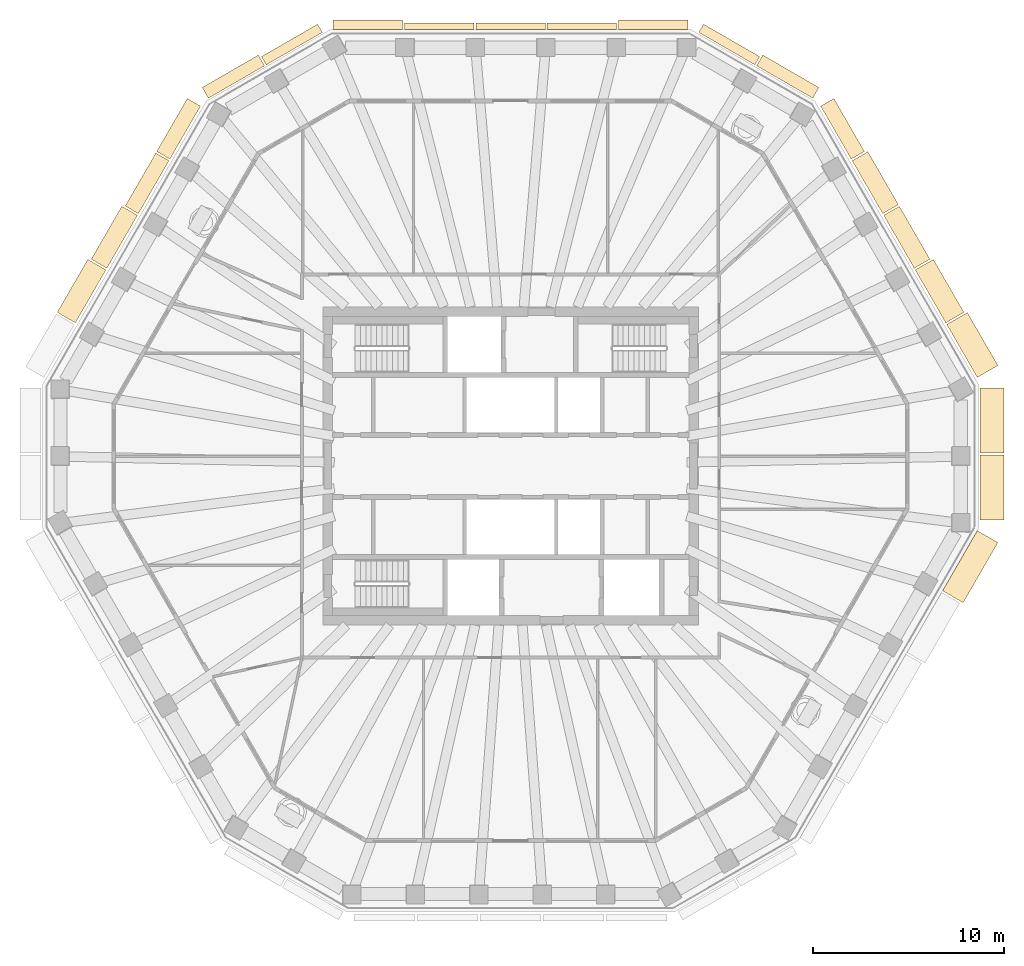
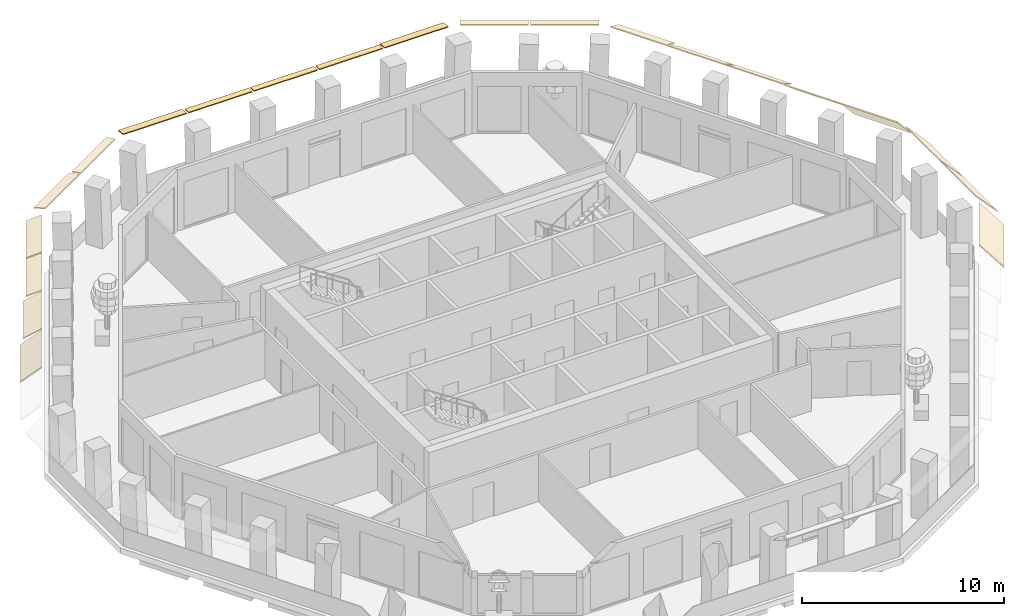
# One storey, part 9 of 11: 21 coverings.
"""IFC4 building model written with IfcOpenShell, lengths in metres."""

from ifc_helpers import new_model, si_unit, direction, frame, origin, place, context, subcontext, project, spatial, polyline, outline, extrude, material, layer, layer_set, type_object, element, save


model = new_model("IFC4")

# Units and contexts
model_context = context("Model", 3, precision=1e-05, world=origin(), true_north=direction((0.0, 1.0)))
body_context = subcontext(model_context, "Body", "Model", "MODEL_VIEW")
ifc_project = project(units=[si_unit("LENGTHUNIT", "METRE"), si_unit("AREAUNIT", "SQUARE_METRE"), si_unit("VOLUMEUNIT", "CUBIC_METRE"), si_unit("PLANEANGLEUNIT", "RADIAN"), si_unit("MASSUNIT", "GRAM", prefix="KILO")], contexts=[model_context])

# Site, building, storey
site_placement = place(None, origin())
site = spatial("IfcSite", under=ifc_project, at=site_placement, CompositionType="ELEMENT")
building_placement = place(site_placement, origin())
building = spatial("IfcBuilding", under=site, at=building_placement, Name="Frailejon Research Tower", CompositionType="ELEMENT")
storey_placement = place(building_placement, frame((0.0, 0.0, 279.0)))
storey = spatial("IfcBuildingStorey", under=building, at=storey_placement, Name="L61", CompositionType="ELEMENT", Elevation=279.0)

# Coverings
ifc_material_1 = material(Name="Precast concrete C50/60", Category="concrete")
ifc_layer_1 = layer(ifc_material_1, 0.06005859375)
ifc_layer_set_1 = layer_set([ifc_layer_1], Name="Brim blade depth 1100")
covering_type_1 = type_object("IfcCoveringType", Name="Brim blade depth 1100", PredefinedType="CLADDING", material=ifc_layer_set_1)
for number, where, z_axis, x_axis, name in (
    (1, (21.227783203125, 10.289306640625, 3.85009765625), (0.49999036091, -0.866030968844, 0.0), (0.866030968844, 0.49999036091, 0.0), "Brim blade L61"),
    (2, (-22.8310546875, 7.51220703125, 3.85009765625), (0.49999036091, 0.866030968844, 0.0), (-0.866030968844, 0.49999036091, 0.0), "Brim blade L61"),
):
    element("IfcCovering", number, at=place(storey_placement, frame(where, z_axis=z_axis, x_axis=x_axis)), inside=storey, type_object=covering_type_1, Name=name, PredefinedType="CLADDING", context=body_context, shape_type="SweptSolid", body=[
        extrude(outline(polyline([(0.0, -0.078369140625), (1.10009765625, -1.001220703125), (1.10009765625, -0.923095703125), (0.0, 0.0), (0.0, -0.078369140625)])), origin(), (0.0, 0.0, 1.0), 3.20654296875),
    ])
ifc_material_2 = material(Name="Precast concrete C50/60", Category="concrete")
ifc_layer_2 = layer(ifc_material_2, 0.06005859375)
ifc_layer_set_2 = layer_set([ifc_layer_2], Name="Brim blade depth 1250")
covering_type_2 = type_object("IfcCoveringType", Name="Brim blade depth 1250", PredefinedType="CLADDING", material=ifc_layer_set_2)
covering_1_placement = place(storey_placement, frame((24.63671875, 0.57861328125, 3.85009765625), z_axis=(0.0, -1.0, 0.0), x_axis=(1.0, 0.0, 0.0)))
element("IfcCovering", 3, at=covering_1_placement, inside=storey, type_object=covering_type_2, Name="Brim blade L61", PredefinedType="CLADDING", context=body_context, shape_type="SweptSolid", body=[
    extrude(outline(polyline([(0.0, -0.0888671875), (1.25, -1.452880859375), (1.25, -1.364013671875), (0.0, 0.0), (0.0, -0.0888671875)])), origin(), (0.0, 0.0, 1.0), 3.40185546875),
])
covering_2_placement = place(storey_placement, frame((24.63671875, 4.08056640625, 3.85009765625), z_axis=(0.0, -1.0, 0.0), x_axis=(1.0, 0.0, 0.0)))
element("IfcCovering", 4, at=covering_2_placement, inside=storey, type_object=covering_type_2, Name="Brim blade L61", PredefinedType="CLADDING", context=body_context, shape_type="SweptSolid", body=[
    extrude(outline(polyline([(0.0, -0.0888671875), (1.25, -1.452880859375), (1.25, -1.364013671875), (0.0, 0.0), (0.0, -0.0888671875)])), origin(), (0.0, 0.0, 1.0), 3.402099609375),
])
covering_3_placement = place(storey_placement, frame((22.881103515625, 7.42578125, 3.85009765625), z_axis=(0.500013043119, -0.866017873205, 0.0), x_axis=(0.866017873205, 0.500013043119, 0.0)))
element("IfcCovering", 5, at=covering_3_placement, inside=storey, type_object=covering_type_2, Name="Brim blade L61", PredefinedType="CLADDING", context=body_context, shape_type="SweptSolid", body=[
    extrude(outline(polyline([(0.0, -0.0888671875), (1.25, -1.452880859375), (1.25, -1.364013671875), (0.0, 0.0), (0.0, -0.0888671875)])), origin(), (0.0, 0.0, 1.0), 3.20654296875),
])
covering_4_placement = place(storey_placement, frame((24.484375, -3.3916015625, 3.85009765625), z_axis=(-0.499996188274, -0.866027604474, 0.0), x_axis=(0.866027604474, -0.499996188274, 0.0)))
element("IfcCovering", 6, at=covering_4_placement, inside=storey, type_object=covering_type_2, Name="Brim blade L61", PredefinedType="CLADDING", context=body_context, shape_type="SweptSolid", body=[
    extrude(outline(polyline([(0.0, -0.0888671875), (1.25, -1.452880859375), (1.25, -1.364013671875), (0.0, 0.0), (0.0, -0.0888671875)])), origin(), (0.0, 0.0, 1.0), 3.64208984375),
])
ifc_material_3 = material(Name="Precast concrete C50/60", Category="concrete")
ifc_layer_3 = layer(ifc_material_3, 0.06005859375)
ifc_layer_set_3 = layer_set([ifc_layer_3], Name="Brim blade depth 350")
covering_type_3 = type_object("IfcCoveringType", Name="Brim blade depth 350", PredefinedType="CLADDING", material=ifc_layer_set_3)
covering_5_placement = place(storey_placement, frame((1.9208984375, 22.89990234375, 3.85009765625), z_axis=(1.0, 0.0, 0.0), x_axis=(0.0, 1.0, 0.0)))
element("IfcCovering", 7, at=covering_5_placement, inside=storey, type_object=covering_type_3, Name="Brim blade L61", PredefinedType="CLADDING", context=body_context, shape_type="SweptSolid", body=[
    extrude(outline(polyline([(0.0, -0.06005859375), (0.35009765625, -0.06005859375), (0.35009765625, 0.0), (0.0, 0.0), (0.0, -0.06005859375)])), origin(), (0.0, 0.0, 1.0), 3.641845703125),
])
covering_6_placement = place(storey_placement, frame((-1.821044921875, 22.89990234375, 3.85009765625), z_axis=(1.0, 0.0, 0.0), x_axis=(0.0, 1.0, 0.0)))
element("IfcCovering", 8, at=covering_6_placement, inside=storey, type_object=covering_type_3, Name="Brim blade L61", PredefinedType="CLADDING", context=body_context, shape_type="SweptSolid", body=[
    extrude(outline(polyline([(0.0, -0.06005859375), (0.35009765625, -0.06005859375), (0.35009765625, 0.0), (0.0, 0.0), (0.0, -0.06005859375)])), origin(), (0.0, 0.0, 1.0), 3.64208984375),
])
covering_7_placement = place(storey_placement, frame((-5.56298828125, 22.89990234375, 3.85009765625), z_axis=(1.0, 0.0, 0.0), x_axis=(0.0, 1.0, 0.0)))
element("IfcCovering", 9, at=covering_7_placement, inside=storey, type_object=covering_type_3, Name="Brim blade L61", PredefinedType="CLADDING", context=body_context, shape_type="SweptSolid", body=[
    extrude(outline(polyline([(0.0, -0.06005859375), (0.35009765625, -0.06005859375), (0.35009765625, 0.0), (0.0, 0.0), (0.0, -0.06005859375)])), origin(), (0.0, 0.0, 1.0), 3.641845703125),
])
ifc_material_4 = material(Name="Precast concrete C50/60", Category="concrete")
ifc_layer_4 = layer(ifc_material_4, 0.06005859375)
ifc_layer_set_4 = layer_set([ifc_layer_4], Name="Brim blade depth 500")
covering_type_4 = type_object("IfcCoveringType", Name="Brim blade depth 500", PredefinedType="CLADDING", material=ifc_layer_set_4)
covering_8_placement = place(storey_placement, frame((9.873291015625, 22.747802734375, 3.85009765625), z_axis=(0.866023907216, -0.500002592124, 0.0), x_axis=(0.500002592124, 0.866023907216, 0.0)))
element("IfcCovering", 10, at=covering_8_placement, inside=storey, type_object=covering_type_4, Name="Brim blade L61", PredefinedType="CLADDING", context=body_context, shape_type="SweptSolid", body=[
    extrude(outline(polyline([(0.0, -0.060546875), (0.5, -0.130859375), (0.5, -0.0703125), (0.0, 0.0), (0.0, -0.060546875)])), origin(), (0.0, 0.0, 1.0), 3.402099609375),
])
for number, where, z_axis, x_axis, name in (
    (11, (5.662841796875, 22.89990234375, 3.85009765625), (1.0, 0.0, 0.0), (0.0, 1.0, 0.0), "Brim blade L61"),
    (12, (-9.304931640625, 22.89990234375, 3.85009765625), (1.0, 0.0, 0.0), (0.0, 1.0, 0.0), "Brim blade L61"),
):
    element("IfcCovering", number, at=place(storey_placement, frame(where, z_axis=z_axis, x_axis=x_axis)), inside=storey, type_object=covering_type_4, Name=name, PredefinedType="CLADDING", context=body_context, shape_type="SweptSolid", body=[
        extrude(outline(polyline([(0.0, -0.060546875), (0.5, -0.130859375), (0.5, -0.0703125), (0.0, 0.0), (0.0, -0.060546875)])), origin(), (0.0, 0.0, 1.0), 3.64208984375),
    ])
covering_9_placement = place(storey_placement, frame((-12.8193359375, 21.046630859375, 3.85009765625), z_axis=(0.866023907216, 0.500002592124, 0.0), x_axis=(-0.500002592124, 0.866023907216, 0.0)))
element("IfcCovering", 13, at=covering_9_placement, inside=storey, type_object=covering_type_4, Name="Brim blade L61", PredefinedType="CLADDING", context=body_context, shape_type="SweptSolid", body=[
    extrude(outline(polyline([(0.0, -0.060546875), (0.5, -0.130859375), (0.5, -0.0703125), (0.0, 0.0), (0.0, -0.060546875)])), origin(), (0.0, 0.0, 1.0), 3.402099609375),
])
ifc_material_5 = material(Name="Precast concrete C50/60", Category="concrete")
ifc_layer_5 = layer(ifc_material_5, 0.06005859375)
ifc_layer_set_5 = layer_set([ifc_layer_5], Name="Brim blade depth 650")
covering_type_5 = type_object("IfcCoveringType", Name="Brim blade depth 650", PredefinedType="CLADDING", material=ifc_layer_set_5)
for number, where, z_axis, x_axis, name in (
    (14, (12.906005859375, 20.99658203125, 3.85009765625), (0.866023907216, -0.500002592124, 0.0), (0.500002592124, 0.866023907216, 0.0), "Brim blade L61"),
    (15, (-15.852294921875, 19.295654296875, 3.85009765625), (0.866023907216, 0.500002592124, 0.0), (-0.500002592124, 0.866023907216, 0.0), "Brim blade L61"),
):
    element("IfcCovering", number, at=place(storey_placement, frame(where, z_axis=z_axis, x_axis=x_axis)), inside=storey, type_object=covering_type_5, Name=name, PredefinedType="CLADDING", context=body_context, shape_type="SweptSolid", body=[
        extrude(outline(polyline([(0.0, -0.0625), (0.64990234375, -0.248779296875), (0.64990234375, -0.186279296875), (0.0, 0.0), (0.0, -0.0625)])), origin(), (0.0, 0.0, 1.0), 3.402099609375),
    ])
ifc_material_6 = material(Name="Precast concrete C50/60", Category="concrete")
ifc_layer_6 = layer(ifc_material_6, 0.06005859375)
ifc_layer_set_6 = layer_set([ifc_layer_6], Name="Brim blade depth 800")
covering_type_6 = type_object("IfcCoveringType", Name="Brim blade depth 800", PredefinedType="CLADDING", material=ifc_layer_set_6)
for number, where, z_axis, x_axis, name in (
    (16, (16.268310546875, 18.879638671875, 3.85009765625), (0.49999036091, -0.866030968844, 0.0), (0.866030968844, 0.49999036091, 0.0), "Brim blade L61"),
    (17, (-17.871337890625, 16.102783203125, 3.85009765625), (0.49999036091, 0.866030968844, 0.0), (-0.866030968844, 0.49999036091, 0.0), "Brim blade L61"),
    (18, (-19.524658203125, 13.2392578125, 3.85009765625), (0.500013043119, 0.866017873205, 0.0), (-0.866017873205, 0.500013043119, 0.0), "Brim blade L61"),
):
    element("IfcCovering", number, at=place(storey_placement, frame(where, z_axis=z_axis, x_axis=x_axis)), inside=storey, type_object=covering_type_6, Name=name, PredefinedType="CLADDING", context=body_context, shape_type="SweptSolid", body=[
        extrude(outline(polyline([(0.0, -0.065673828125), (0.800048828125, -0.421875), (0.800048828125, -0.356201171875), (0.0, 0.0), (0.0, -0.065673828125)])), origin(), (0.0, 0.0, 1.0), 3.20654296875),
    ])
ifc_material_7 = material(Name="Precast concrete C50/60", Category="concrete")
ifc_layer_7 = layer(ifc_material_7, 0.06005859375)
ifc_layer_set_7 = layer_set([ifc_layer_7], Name="Brim blade depth 950")
covering_type_7 = type_object("IfcCoveringType", Name="Brim blade depth 950", PredefinedType="CLADDING", material=ifc_layer_set_7)
for number, where, z_axis, x_axis, name in (
    (19, (19.57470703125, 13.152587890625, 3.85009765625), (0.49999036091, -0.866030968844, 0.0), (0.866030968844, 0.49999036091, 0.0), "Brim blade L61"),
    (20, (17.92138671875, 16.01611328125, 3.85009765625), (0.500013043119, -0.866017873205, 0.0), (0.866017873205, 0.500013043119, 0.0), "Brim blade L61"),
    (21, (-21.177978515625, 10.375732421875, 3.85009765625), (0.49999036091, 0.866030968844, 0.0), (-0.866030968844, 0.49999036091, 0.0), "Brim blade L61"),
):
    element("IfcCovering", number, at=place(storey_placement, frame(where, z_axis=z_axis, x_axis=x_axis)), inside=storey, type_object=covering_type_7, Name=name, PredefinedType="CLADDING", context=body_context, shape_type="SweptSolid", body=[
        extrude(outline(polyline([(0.0, -0.07080078125), (0.949951171875, -0.664306640625), (0.949951171875, -0.593505859375), (0.0, 0.0), (0.0, -0.07080078125)])), origin(), (0.0, 0.0, 1.0), 3.20654296875),
    ])

save(model, "model.ifc")
